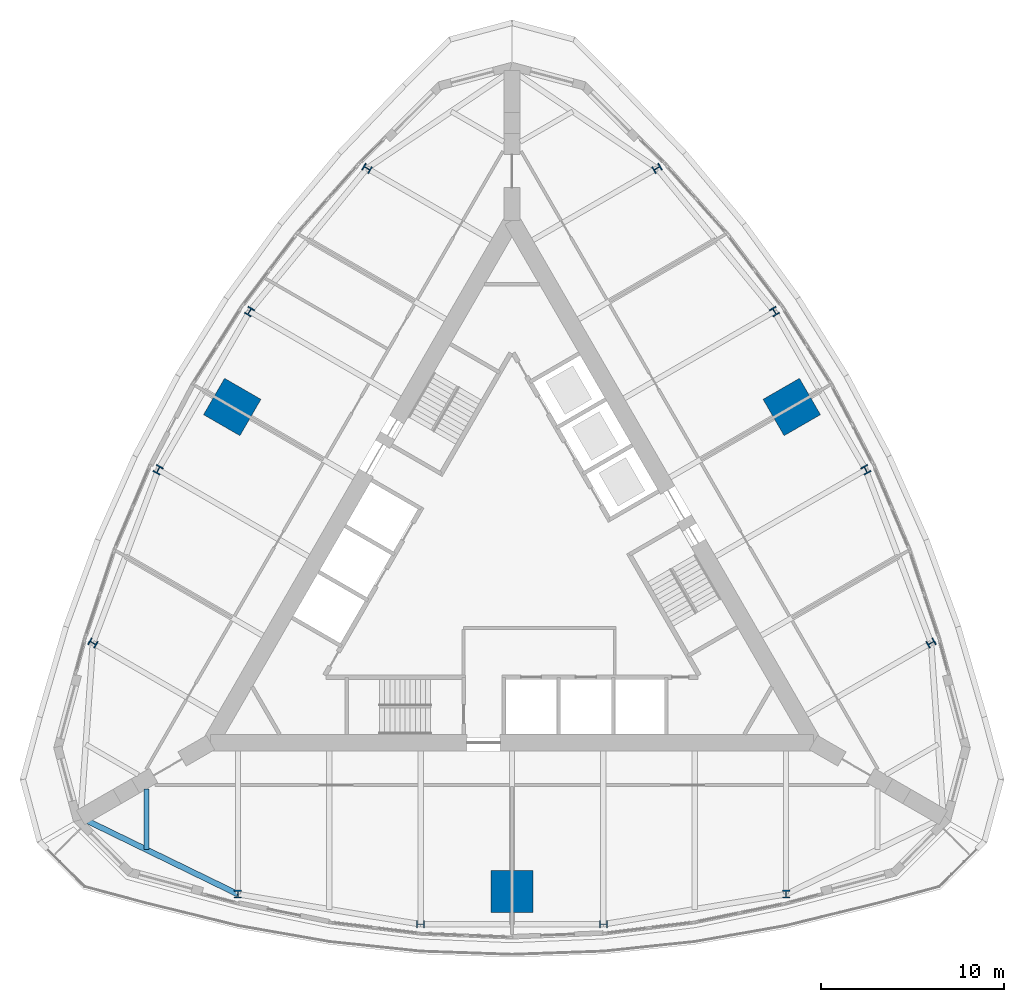
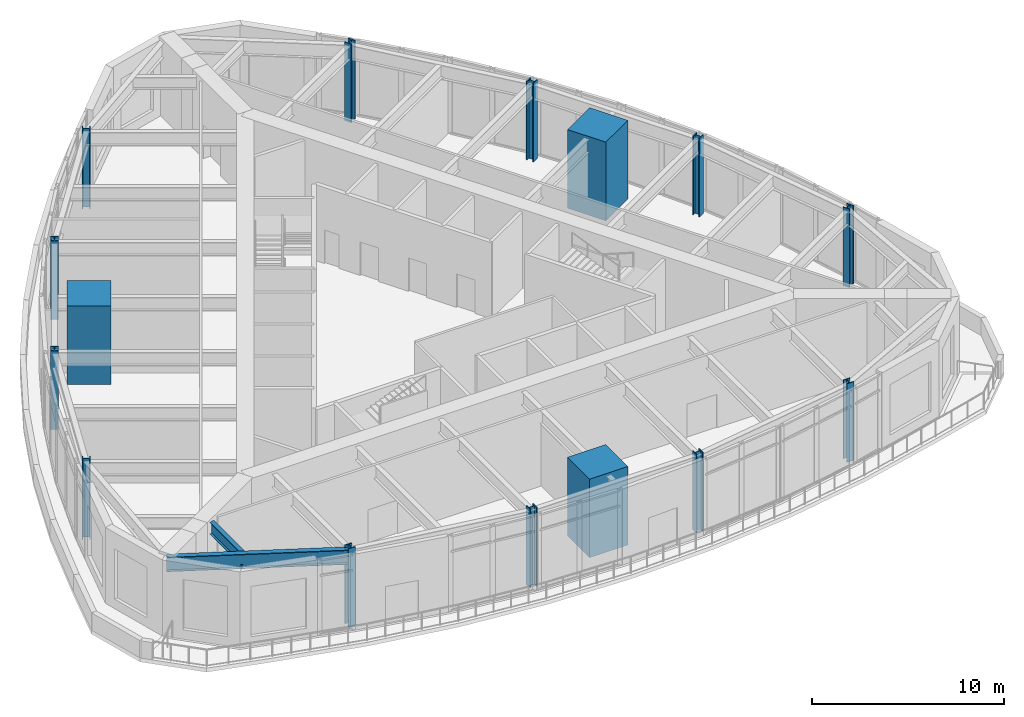
# One storey, part 1 of 13: 15 columns, 2 beams.
"""IFC4 building model written with IfcOpenShell, lengths in metres."""

from ifc_helpers import new_model, si_unit, direction, frame, origin, origin_2d, place, context, subcontext, project, spatial, rectangle, i_section, extrude, material, material_profile, profile_set, type_object, element, save


model = new_model("IFC4")

# Units and contexts
model_context = context("Model", 3, precision=1e-05, world=origin(), true_north=direction((0.0, 1.0)))
body_context = subcontext(model_context, "Body", "Model", "MODEL_VIEW")
ifc_project = project(units=[si_unit("LENGTHUNIT", "METRE"), si_unit("AREAUNIT", "SQUARE_METRE"), si_unit("VOLUMEUNIT", "CUBIC_METRE"), si_unit("PLANEANGLEUNIT", "RADIAN"), si_unit("MASSUNIT", "GRAM", prefix="KILO")], contexts=[model_context])

# Site, building, storey
site_placement = place(None, origin())
site = spatial("IfcSite", under=ifc_project, at=site_placement, CompositionType="ELEMENT")
building_placement = place(site_placement, origin())
building = spatial("IfcBuilding", under=site, at=building_placement, Name="Trikona Tower", CompositionType="ELEMENT")
storey_placement = place(building_placement, frame((0.0, 0.0, 195.89990234375)))
storey = spatial("IfcBuildingStorey", under=building, at=storey_placement, Name="L52", CompositionType="ELEMENT", Elevation=195.89990234375)

# Columns
ifc_material_1 = material(Name="Concrete f'c 10000 psi with encased steel section", Category="concrete")
ifc_material_profile_1 = material_profile(ifc_material_1, rectangle(XDim=2.300048828125, YDim=2.300048828125, at=origin_2d()), Name="MC2300")
ifc_profile_set_1 = profile_set([ifc_material_profile_1], Name="Concrete f'c 10000 psi with encased steel section")
column_type_1 = type_object("IfcColumnType", Name="Composite mega column 2300x2300", PredefinedType="COLUMN", material=ifc_profile_set_1)
for number, where, z_axis, x_axis, name in (
    (1, (0.0, -17.680419921875, 0.0), (0.0, 0.0, 1.0), (0.0, -1.0, 0.0), "Mega column MC1"),
    (2, (15.311767578125, 8.84033203125, 0.0), (0.0, 0.0, 1.0), (0.866025403784, 0.5, 0.0), "Mega column MC2"),
    (3, (-15.311767578125, 8.84033203125, 0.0), (0.0, 0.0, 1.0), (-0.866025403784, 0.5, 0.0), "Mega column MC3"),
):
    element("IfcColumn", number, at=place(storey_placement, frame(where, z_axis=z_axis, x_axis=x_axis)), inside=storey, type_object=column_type_1, Name=name, PredefinedType="COLUMN", context=body_context, shape_type="SweptSolid", body=[
        extrude(rectangle(XDim=2.300048828125, YDim=2.300048828125, at=origin_2d()), origin(), (0.0, 0.0, 1.0), 5.0),
    ])
ifc_material_2 = material(Name="Steel ASTM A992 Grade 50", Category="steel")
ifc_material_profile_2 = material_profile(ifc_material_2, i_section(OverallWidth=0.411376953125, OverallDepth=0.434326171875, WebThickness=0.035888671875, FlangeThickness=0.057373046875, at=origin_2d()), Name="W14X311")
ifc_profile_set_2 = profile_set([ifc_material_profile_2], Name="Steel ASTM A992 Grade 50")
column_type_2 = type_object("IfcColumnType", Name="Steel column W14x311", PredefinedType="COLUMN", material=ifc_profile_set_2)
for number, where, z_axis, x_axis, name in (
    (4, (-15.0, -17.824951171875, 0.0), (0.0, 0.0, 1.0), (1.0, 0.0, 0.0), "Column F0m15"),
    (5, (-5.0, -19.471923828125, 0.0), (0.0, 0.0, 1.0), (0.0, -1.0, 0.0), "Column F0m5"),
    (6, (5.0, -19.471923828125, 0.0), (0.0, 0.0, 1.0), (0.0, -1.0, 0.0), "Column F0p5"),
    (7, (15.0, -17.824951171875, 0.0), (0.0, 0.0, 1.0), (1.0, 0.0, 0.0), "Column F0p15"),
    (8, (22.936767578125, -4.077880859375, 0.0), (0.0, 0.0, 1.0), (-0.5, 0.866025403784, 0.0), "Column F1m15"),
    (9, (19.36328125, 5.406005859375, 0.0), (0.0, 0.0, 1.0), (0.866025403784, 0.5, 0.0), "Column F1m5"),
    (10, (14.36328125, 14.066162109375, 0.0), (0.0, 0.0, 1.0), (0.866025403784, 0.5, 0.0), "Column F1p5"),
    (11, (7.936767578125, 21.90283203125, 0.0), (0.0, 0.0, 1.0), (-0.5, 0.866025403784, 0.0), "Column F1p15"),
    (12, (-7.936767578125, 21.90283203125, 0.0), (0.0, 0.0, 1.0), (-0.5, -0.866025403784, 0.0), "Column F2m15"),
    (13, (-14.36328125, 14.066162109375, 0.0), (0.0, 0.0, 1.0), (-0.866025403784, 0.5, 0.0), "Column F2m5"),
    (14, (-19.36328125, 5.406005859375, 0.0), (0.0, 0.0, 1.0), (-0.866025403784, 0.5, 0.0), "Column F2p5"),
    (15, (-22.936767578125, -4.077880859375, 0.0), (0.0, 0.0, 1.0), (-0.5, -0.866025403784, 0.0), "Column F2p15"),
):
    element("IfcColumn", number, at=place(storey_placement, frame(where, z_axis=z_axis, x_axis=x_axis)), inside=storey, type_object=column_type_2, Name=name, PredefinedType="COLUMN", context=body_context, shape_type="SweptSolid", body=[
        extrude(i_section(OverallWidth=0.411376953125, OverallDepth=0.434326171875, WebThickness=0.035888671875, FlangeThickness=0.057373046875, at=origin_2d()), origin(), (0.0, 0.0, 1.0), 5.0),
    ])

# Beams
ifc_material_3 = material(Name="Steel ASTM A992 Grade 50", Category="steel")
ifc_material_profile_3 = material_profile(ifc_material_3, i_section(OverallWidth=0.2666015625, OverallDepth=0.76953125, WebThickness=0.015625, FlangeThickness=0.025390625, at=origin_2d()), Name="W30X132")
ifc_profile_set_3 = profile_set([ifc_material_profile_3], Name="Steel ASTM A992 Grade 50")
beam_type_1 = type_object("IfcBeamType", Name="Steel beam W30x132 (wedge)", PredefinedType="BEAM", material=ifc_profile_set_3)
beam_1_placement = place(storey_placement, frame((-20.0, -12.066650390625, 4.4501953125), z_axis=(0.0, -1.0, 0.0), x_axis=(1.0, 0.0, 0.0)))
element("IfcBeam", 16, at=beam_1_placement, inside=storey, type_object=beam_type_1, Name="Floor beam L53 F1 u-20", PredefinedType="BEAM", context=body_context, shape_type="SweptSolid", body=[
    extrude(i_section(OverallWidth=0.2666015625, OverallDepth=0.76953125, WebThickness=0.015625, FlangeThickness=0.025390625, at=origin_2d()), origin(), (0.0, 0.0, 1.0), 3.322998046875),
])
ifc_material_4 = material(Name="Steel ASTM A992 Grade 50", Category="steel")
ifc_material_profile_4 = material_profile(ifc_material_4, i_section(OverallWidth=0.307373046875, OverallDepth=0.922119140625, WebThickness=0.018310546875, FlangeThickness=0.030029296875, at=origin_2d()), Name="W36X182")
ifc_profile_set_4 = profile_set([ifc_material_profile_4], Name="Steel ASTM A992 Grade 50")
beam_type_2 = type_object("IfcBeamType", Name="Steel beam W36x182 (spandrel mid)", PredefinedType="SPANDREL", material=ifc_profile_set_4)
beam_2_placement = place(storey_placement, frame((-23.6103515625, -13.63134765625, 4.3740234375), z_axis=(0.899038503257, -0.437869580652, 0.0), x_axis=(0.437869580652, 0.899038503257, 0.0)))
element("IfcBeam", 17, at=beam_2_placement, inside=storey, type_object=beam_type_2, Name="Spandrel beam L53 F1-1", PredefinedType="SPANDREL", context=body_context, shape_type="SweptSolid", body=[
    extrude(i_section(OverallWidth=0.307373046875, OverallDepth=0.922119140625, WebThickness=0.018310546875, FlangeThickness=0.030029296875, at=origin_2d()), origin(), (0.0, 0.0, 1.0), 9.577392578125),
])

save(model, "model.ifc")
